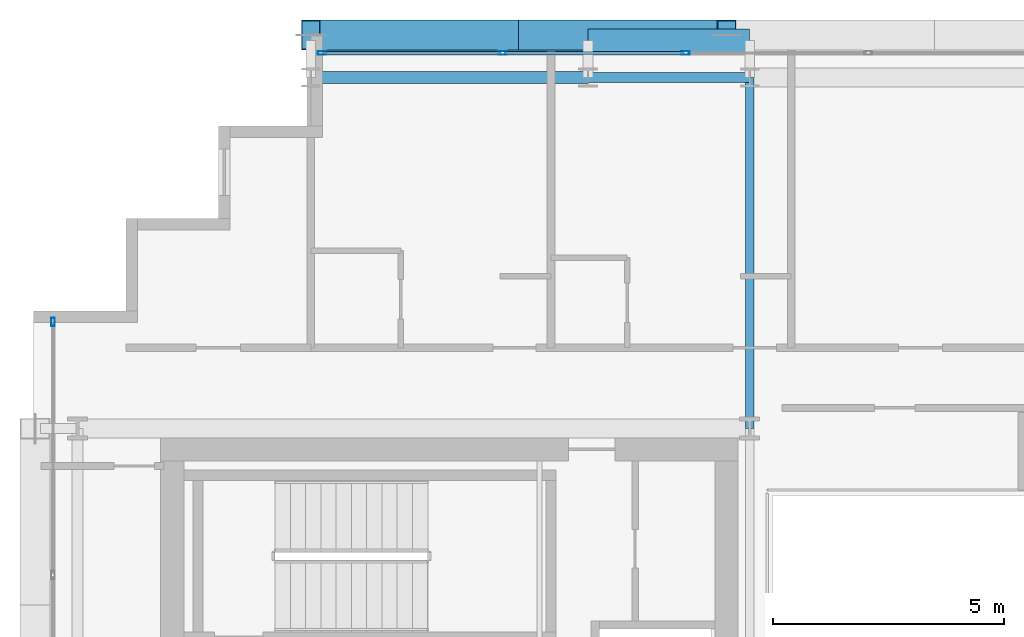
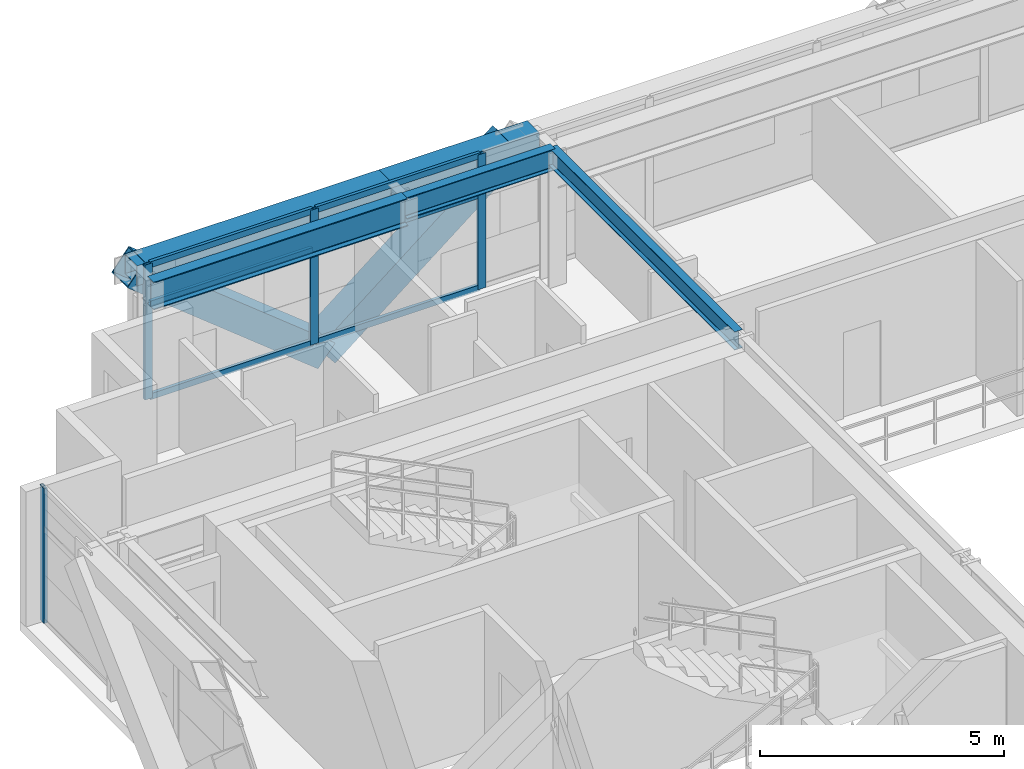
# One storey, part 16 of 32: 12 members, 5 beams, 2 elements without a shape of their own.
"""IFC4 building model written with IfcOpenShell, lengths in metres."""

from ifc_helpers import new_model, si_unit, direction, frame, origin, origin_2d, place, context, subcontext, project, spatial, hollow_rectangle, i_section, extrude, source, transform, mapped, material, layer, layer_set, material_profile, profile_set, type_object, element, aggregate, save


model = new_model("IFC4")

# Units and contexts
model_context = context("Model", 3, precision=1e-05, world=origin(), true_north=direction((0.0, 1.0)))
body_context = subcontext(model_context, "Body", "Model", "MODEL_VIEW")
ifc_project = project(units=[si_unit("LENGTHUNIT", "METRE"), si_unit("AREAUNIT", "SQUARE_METRE"), si_unit("VOLUMEUNIT", "CUBIC_METRE"), si_unit("PLANEANGLEUNIT", "RADIAN"), si_unit("MASSUNIT", "GRAM", prefix="KILO")], contexts=[model_context])

# Site, building, storey
site_placement = place(None, origin())
site = spatial("IfcSite", under=ifc_project, at=site_placement, CompositionType="ELEMENT")
building_placement = place(site_placement, origin())
building = spatial("IfcBuilding", under=site, at=building_placement, Name="Ocotamira Hotel", CompositionType="ELEMENT")
storey_placement = place(building_placement, frame((0.0, 0.0, 184.800048828125)))
storey = spatial("IfcBuildingStorey", under=building, at=storey_placement, Name="L46", CompositionType="ELEMENT", Elevation=184.800048828125)

# Beams
ifc_material_1 = material(Name="Steel ASTM A992 Grade 50", Category="steel")
ifc_material_profile_1 = material_profile(ifc_material_1, i_section(OverallWidth=0.256103515625, OverallDepth=0.693115234375, WebThickness=0.014404296875, FlangeThickness=0.023681640625, FilletRadius=0.01611328125, at=origin_2d()), Name="W27X114")
ifc_profile_set_1 = profile_set([ifc_material_profile_1], Name="Steel ASTM A992 Grade 50")
beam_type_1 = type_object("IfcBeamType", Name="BM-PRIM-W27X114", PredefinedType="BEAM", material=ifc_profile_set_1)
shared_shape_1 = source(origin(), body_context, "Body", "SweptSolid", [
    extrude(i_section(OverallWidth=0.256103515625, OverallDepth=0.693115234375, WebThickness=0.014404296875, FlangeThickness=0.023681640625, FilletRadius=0.01611328125, at=origin_2d()), origin(), (0.0, 0.0, 1.0), 6.0),
])
beam_1_placement = place(storey_placement, frame((14.0, 45.050048828125, 3.0234375), z_axis=(1.0, 0.0, 0.0), x_axis=(0.0, 1.0, 0.0)))
element("IfcBeam", 1, at=beam_1_placement, inside=storey, type_object=beam_type_1, Name="L46 Girder Y45.05 X14-20", PredefinedType="BEAM", context=body_context, shape_type="MappedRepresentation", body=[
    mapped(shared_shape_1, transform((0.0, 0.0, 0.0), scale=1.0)),
])
ifc_material_profile_2 = material_profile(ifc_material_1, i_section(OverallWidth=0.2099609375, OverallDepth=0.537109375, WebThickness=0.010986328125, FlangeThickness=0.017333984375, FilletRadius=0.012939453125, at=origin_2d()), Name="W21X68")
ifc_profile_set_2 = profile_set([ifc_material_profile_2], Name="Steel ASTM A992 Grade 50")
beam_type_2 = type_object("IfcBeamType", Name="BM-SEC-W21X68", PredefinedType="JOIST", material=ifc_profile_set_2)
shared_shape_2 = source(origin(), body_context, "Body", "SweptSolid", [
    extrude(i_section(OverallWidth=0.2099609375, OverallDepth=0.537109375, WebThickness=0.010986328125, FlangeThickness=0.017333984375, FilletRadius=0.012939453125, at=origin_2d()), origin(), (0.0, 0.0, 1.0), 3.5),
])
beam_2_placement = place(storey_placement, frame((20.0, 45.050048828125, 3.1015625), z_axis=(1.0, 0.0, 0.0), x_axis=(0.0, 1.0, 0.0)))
element("IfcBeam", 2, at=beam_2_placement, inside=storey, type_object=beam_type_2, Name="L46 Girder Y45.05 X20-23.5", PredefinedType="JOIST", context=body_context, shape_type="MappedRepresentation", body=[
    mapped(shared_shape_2, transform((0.0, 0.0, 0.0), scale=1.0)),
])
ifc_material_2 = material(Name="Steel ASTM A500 Grade C", Category="steel")
ifc_material_profile_3 = material_profile(ifc_material_2, hollow_rectangle(XDim=0.5, YDim=0.5, WallThickness=0.02001953125, at=origin_2d()), Name="HSS500X500X20")
ifc_profile_set_3 = profile_set([ifc_material_profile_3], Name="Steel ASTM A500 Grade C")
beam_type_3 = type_object("IfcBeamType", Name="BM-SPAN-HSS500", PredefinedType="USERDEFINED", material=ifc_profile_set_3)
shared_shape_3 = source(origin(), body_context, "Body", "SweptSolid", [
    extrude(hollow_rectangle(XDim=0.5, YDim=0.5, WallThickness=0.02001953125, at=origin_2d()), origin(), (0.0, 0.0, 1.0), 6.0),
])
beam_3_placement = place(storey_placement, frame((14.0, 45.85009765625, 3.119873046875), z_axis=(1.0, 0.0, 0.0), x_axis=(0.0, 1.0, 0.0)))
element("IfcBeam", 3, at=beam_3_placement, inside=storey, type_object=beam_type_3, Name="L46 Edge Spandrel N X14-20", ObjectType="SPANDREL", PredefinedType="USERDEFINED", context=body_context, shape_type="MappedRepresentation", body=[
    mapped(shared_shape_3, transform((0.0, 0.0, 0.0), scale=1.0)),
])
shared_shape_4 = source(origin(), body_context, "Body", "SweptSolid", [
    extrude(hollow_rectangle(XDim=0.5, YDim=0.5, WallThickness=0.02001953125, at=origin_2d()), origin(), (0.0, 0.0, 1.0), 3.5),
])
beam_4_placement = place(storey_placement, frame((20.0, 45.85009765625, 3.119873046875), z_axis=(1.0, 0.0, 0.0), x_axis=(0.0, 1.0, 0.0)))
element("IfcBeam", 4, at=beam_4_placement, inside=storey, type_object=beam_type_3, Name="L46 Edge Spandrel N X20-23.5", ObjectType="SPANDREL", PredefinedType="USERDEFINED", context=body_context, shape_type="MappedRepresentation", body=[
    mapped(shared_shape_4, transform((0.0, 0.0, 0.0), scale=1.0)),
])
ifc_material_profile_4 = material_profile(ifc_material_1, i_section(OverallWidth=0.18994140625, OverallDepth=0.45703125, WebThickness=0.009033203125, FlangeThickness=0.014404296875, FilletRadius=0.010009765625, at=origin_2d()), Name="W18X50")
ifc_profile_set_4 = profile_set([ifc_material_profile_4], Name="Steel ASTM A992 Grade 50")
beam_type_4 = type_object("IfcBeamType", Name="BM-SEC-W18X50", PredefinedType="JOIST", material=ifc_profile_set_4)
shared_shape_5 = source(origin(), body_context, "Body", "SweptSolid", [
    extrude(i_section(OverallWidth=0.18994140625, OverallDepth=0.45703125, WebThickness=0.009033203125, FlangeThickness=0.014404296875, FilletRadius=0.010009765625, at=origin_2d()), origin(), (0.0, 0.0, 1.0), 7.60009765625),
])
beam_5_placement = place(storey_placement, frame((23.5, 37.449951171875, 3.141357421875), z_axis=(0.0, 1.0, 0.0), x_axis=(-1.0, 0.0, 0.0)))
element("IfcBeam", 5, at=beam_5_placement, inside=storey, type_object=beam_type_4, Name="L46 Beam X23.5 Y37.45-45.05", PredefinedType="JOIST", context=body_context, shape_type="MappedRepresentation", body=[
    mapped(shared_shape_5, transform((0.0, 0.0, 0.0), scale=1.0)),
])

# Members
ifc_material_3 = material(Name="Pale-metal coated steel ASTM A913 Grade 65", Category="steel")
ifc_material_profile_5 = material_profile(ifc_material_3, hollow_rectangle(XDim=0.64990234375, YDim=0.64990234375, WallThickness=0.02197265625, at=origin_2d()), Name="BOX650X650X22")
ifc_profile_set_5 = profile_set([ifc_material_profile_5], Name="Pale-metal coated steel ASTM A913 Grade 65")
member_type_1 = type_object("IfcMemberType", Name="MEM-EXO-BOX650", PredefinedType="BRACE", material=ifc_profile_set_5)
shared_shape_6 = source(origin(), body_context, "Body", "SweptSolid", [
    extrude(hollow_rectangle(XDim=0.64990234375, YDim=0.64990234375, WallThickness=0.02197265625, at=origin_2d()), origin(), (0.0, 0.0, 1.0), 5.7626953125),
])
for number, where, z_axis, x_axis, name in (
    (6, (18.5, 45.969970703125, -0.47998046875), (-0.780881208953, 0.0, 0.624679547852), (0.0, -1.0, 0.0), "L46 Exoskeleton Diagrid N0.1"),
    (7, (18.5, 45.969970703125, -0.47998046875), (0.780881208953, 0.0, 0.624679547852), (0.0, 1.0, 0.0), "L46 Exoskeleton Diagrid N0.2"),
):
    element("IfcMember", number, at=place(storey_placement, frame(where, z_axis=z_axis, x_axis=x_axis)), inside=storey, type_object=member_type_1, Name=name, PredefinedType="BRACE", context=body_context, shape_type="MappedRepresentation", body=[
        mapped(shared_shape_6, transform((0.0, 0.0, 0.0), scale=1.0)),
    ])

# Curtain wall, members
ifc_material_4 = material(Name="Anodised pale-metal aluminium and solar glass", Category="aluminium")
ifc_layer = layer(ifc_material_4, 0.199951171875)
ifc_layer_set = layer_set([ifc_layer], Name="Anodised pale-metal aluminium and solar glass")
curtain_wall_type = type_object("IfcCurtainWallType", Name="CW-SYS4-Z3", PredefinedType="NOTDEFINED", material=ifc_layer_set)
curtain_wall_1_placement = place(storey_placement, origin())
curtain_wall_1 = element("IfcCurtainWall", 8, at=curtain_wall_1_placement, inside=storey, type_object=curtain_wall_type, Name="L46 Curtain Wall CW-4 CW-L46-N", PredefinedType="NOTDEFINED")
ifc_material_5 = material(Name="Anodised pale-metal aluminium 6063-T6", Category="aluminium")
ifc_material_profile_6 = material_profile(ifc_material_5, hollow_rectangle(XDim=0.074951171875, YDim=0.14990234375, WallThickness=0.006103515625, at=origin_2d()), Name="HSS150X75X6")
ifc_profile_set_6 = profile_set([ifc_material_profile_6], Name="Anodised pale-metal aluminium 6063-T6")
member_type_2 = type_object("IfcMemberType", Name="CWT-150X75", PredefinedType="USERDEFINED", material=ifc_profile_set_6)
shared_shape_7 = source(origin(), body_context, "Body", "SweptSolid", [
    extrude(hollow_rectangle(XDim=0.074951171875, YDim=0.14990234375, WallThickness=0.006103515625, at=origin_2d()), origin(), (0.0, 0.0, 1.0), 3.83544921875),
])
member_1_placement = place(storey_placement, frame((14.280029296875, 45.580078125, 0.037353515625), z_axis=(1.0, 0.0, 0.0), x_axis=(0.0, 1.0, 0.0)))
member_1 = element("IfcMember", 9, at=member_1_placement, type_object=member_type_2, Name="CW-4 transom 1.1", ObjectType="TRANSOM", PredefinedType="USERDEFINED", context=body_context, shape_type="MappedRepresentation", body=[
    mapped(shared_shape_7, transform((0.0, 0.0, 0.0), scale=1.0)),
])
member_2_placement = place(storey_placement, frame((14.280029296875, 45.580078125, 2.349853515625), z_axis=(1.0, 0.0, 0.0), x_axis=(0.0, 1.0, 0.0)))
member_2 = element("IfcMember", 10, at=member_2_placement, type_object=member_type_2, Name="CW-4 transom 1.2", ObjectType="TRANSOM", PredefinedType="USERDEFINED", context=body_context, shape_type="MappedRepresentation", body=[
    mapped(shared_shape_7, transform((0.0, 0.0, 0.0), scale=1.0)),
])
member_3_placement = place(storey_placement, frame((14.280029296875, 45.580078125, 3.33251953125), z_axis=(1.0, 0.0, 0.0), x_axis=(0.0, 1.0, 0.0)))
member_3 = element("IfcMember", 11, at=member_3_placement, type_object=member_type_2, Name="CW-4 transom 1.3", ObjectType="TRANSOM", PredefinedType="USERDEFINED", context=body_context, shape_type="MappedRepresentation", body=[
    mapped(shared_shape_7, transform((0.0, 0.0, 0.0), scale=1.0)),
])
shared_shape_8 = source(origin(), body_context, "Body", "SweptSolid", [
    extrude(hollow_rectangle(XDim=0.074951171875, YDim=0.14990234375, WallThickness=0.006103515625, at=origin_2d()), origin(), (0.0, 0.0, 1.0), 3.87548828125),
])
member_4_placement = place(storey_placement, frame((18.195556640625, 45.580078125, 0.037353515625), z_axis=(1.0, 0.0, 0.0), x_axis=(0.0, 1.0, 0.0)))
member_4 = element("IfcMember", 12, at=member_4_placement, type_object=member_type_2, Name="CW-4 transom 2.1", ObjectType="TRANSOM", PredefinedType="USERDEFINED", context=body_context, shape_type="MappedRepresentation", body=[
    mapped(shared_shape_8, transform((0.0, 0.0, 0.0), scale=1.0)),
])
member_5_placement = place(storey_placement, frame((18.195556640625, 45.580078125, 2.349853515625), z_axis=(1.0, 0.0, 0.0), x_axis=(0.0, 1.0, 0.0)))
member_5 = element("IfcMember", 13, at=member_5_placement, type_object=member_type_2, Name="CW-4 transom 2.2", ObjectType="TRANSOM", PredefinedType="USERDEFINED", context=body_context, shape_type="MappedRepresentation", body=[
    mapped(shared_shape_8, transform((0.0, 0.0, 0.0), scale=1.0)),
])
member_6_placement = place(storey_placement, frame((18.195556640625, 45.580078125, 3.33251953125), z_axis=(1.0, 0.0, 0.0), x_axis=(0.0, 1.0, 0.0)))
member_6 = element("IfcMember", 14, at=member_6_placement, type_object=member_type_2, Name="CW-4 transom 2.3", ObjectType="TRANSOM", PredefinedType="USERDEFINED", context=body_context, shape_type="MappedRepresentation", body=[
    mapped(shared_shape_8, transform((0.0, 0.0, 0.0), scale=1.0)),
])
ifc_material_profile_7 = material_profile(ifc_material_5, hollow_rectangle(XDim=0.080078125, YDim=0.179931640625, WallThickness=0.006103515625, at=origin_2d()), Name="HSS180X80X6")
ifc_profile_set_7 = profile_set([ifc_material_profile_7], Name="Anodised pale-metal aluminium 6063-T6")
member_type_3 = type_object("IfcMemberType", Name="CWM-180X75", PredefinedType="MULLION", material=ifc_profile_set_7)
shared_shape_9 = source(origin(), body_context, "Body", "SweptSolid", [
    extrude(hollow_rectangle(XDim=0.080078125, YDim=0.179931640625, WallThickness=0.006103515625, at=origin_2d()), origin(), (0.0, 0.0, 1.0), 3.369873046875),
])
member_7_placement = place(storey_placement, frame((14.239990234375, 45.580078125, 0.0), z_axis=(0.0, 0.0, 1.0), x_axis=(0.0, 1.0, 0.0)))
member_7 = element("IfcMember", 15, at=member_7_placement, type_object=member_type_3, Name="CW-4 mullion 1", PredefinedType="MULLION", context=body_context, shape_type="MappedRepresentation", body=[
    mapped(shared_shape_9, transform((0.0, 0.0, 0.0), scale=1.0)),
])
member_8_placement = place(storey_placement, frame((18.155517578125, 45.580078125, 0.0), z_axis=(0.0, 0.0, 1.0), x_axis=(0.0, 1.0, 0.0)))
member_8 = element("IfcMember", 16, at=member_8_placement, type_object=member_type_3, Name="CW-4 mullion 2", PredefinedType="MULLION", context=body_context, shape_type="MappedRepresentation", body=[
    mapped(shared_shape_9, transform((0.0, 0.0, 0.0), scale=1.0)),
])
member_9_placement = place(storey_placement, frame((22.111083984375, 45.580078125, 0.0), z_axis=(0.0, 0.0, 1.0), x_axis=(0.0, 1.0, 0.0)))
member_9 = element("IfcMember", 17, at=member_9_placement, type_object=member_type_3, Name="CW-4 mullion 3", PredefinedType="MULLION", context=body_context, shape_type="MappedRepresentation", body=[
    mapped(shared_shape_9, transform((0.0, 0.0, 0.0), scale=1.0)),
])
aggregate(curtain_wall_1, [member_7, member_8, member_9, member_1, member_2, member_3, member_4, member_5, member_6])

# Curtain wall, member
curtain_wall_2_placement = place(storey_placement, origin())
curtain_wall_2 = element("IfcCurtainWall", 18, at=curtain_wall_2_placement, inside=storey, type_object=curtain_wall_type, Name="L46 Curtain Wall CW-4 CW-L46-W", PredefinedType="NOTDEFINED")
member_10_placement = place(storey_placement, frame((8.419921875, 39.760009765625, 0.0), z_axis=(0.0, 0.0, 1.0), x_axis=(-1.0, 0.0, 0.0)))
member_10 = element("IfcMember", 19, at=member_10_placement, type_object=member_type_3, Name="CW-4 mullion 6", PredefinedType="MULLION", context=body_context, shape_type="MappedRepresentation", body=[
    mapped(shared_shape_9, transform((0.0, 0.0, 0.0), scale=1.0)),
])
aggregate(curtain_wall_2, [member_10])

save(model, "model.ifc")
